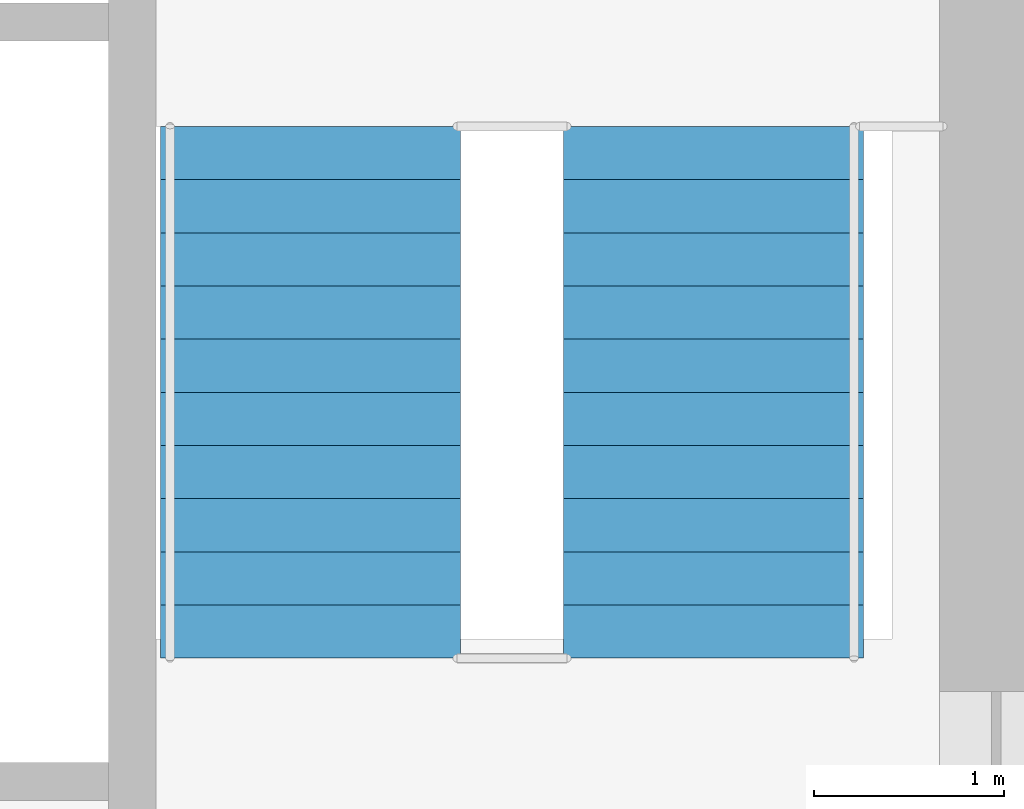
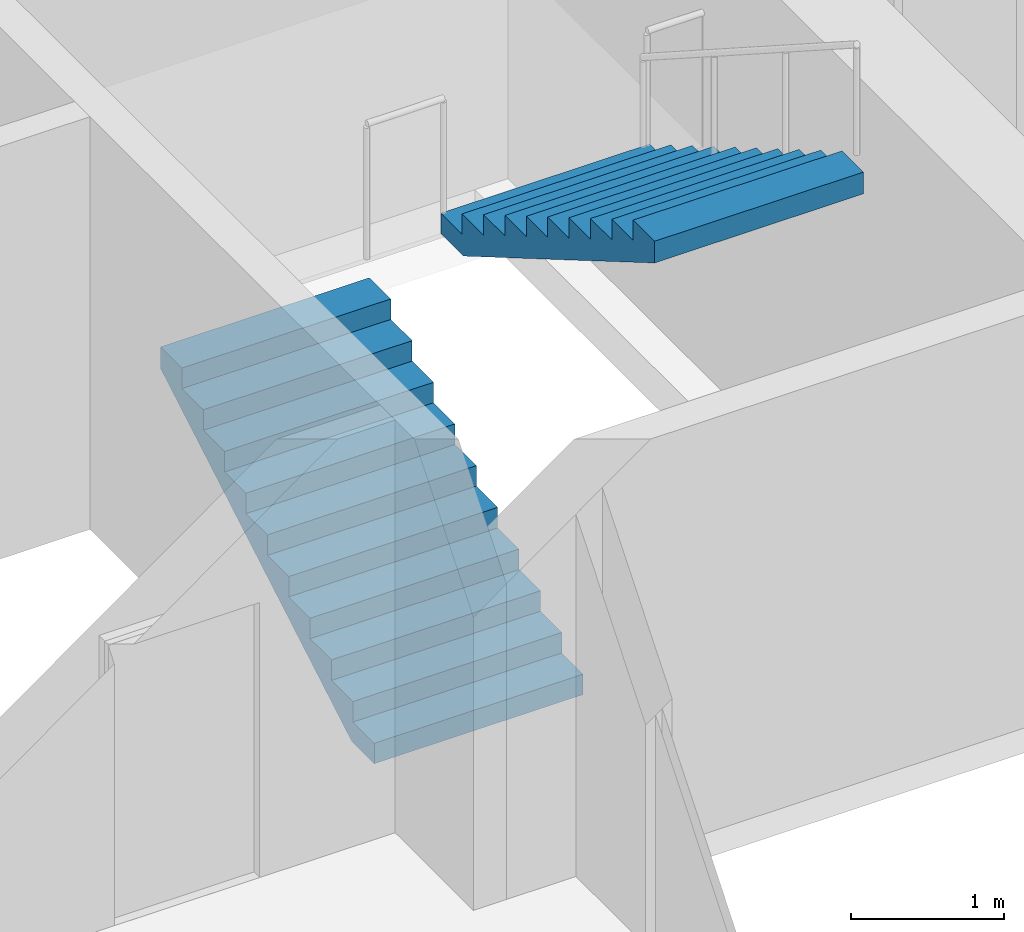
# One storey, part 15 of 18: 2 stair flights, 1 element without a shape of its own.
"""IFC4 building model written with IfcOpenShell, lengths in metres."""

from ifc_helpers import new_model, si_unit, direction, frame, origin, place, context, subcontext, project, spatial, polyline, outline, extrude, material, type_object, element, aggregate, save


model = new_model("IFC4")

# Units and contexts
model_context = context("Model", 3, precision=1e-05, world=origin(), true_north=direction((0.0, 1.0)))
body_context = subcontext(model_context, "Body", "Model", "MODEL_VIEW")
ifc_project = project(units=[si_unit("LENGTHUNIT", "METRE"), si_unit("AREAUNIT", "SQUARE_METRE"), si_unit("VOLUMEUNIT", "CUBIC_METRE"), si_unit("PLANEANGLEUNIT", "RADIAN"), si_unit("MASSUNIT", "GRAM", prefix="KILO")], contexts=[model_context])

# Site, building, storey
site_placement = place(None, origin())
site = spatial("IfcSite", under=ifc_project, at=site_placement, CompositionType="ELEMENT")
building_placement = place(site_placement, origin())
building = spatial("IfcBuilding", under=site, at=building_placement, Name="Pilkhan Gate Tower", CompositionType="ELEMENT")
storey_placement = place(building_placement, frame((0.0, 0.0, 228.300048828125)))
storey = spatial("IfcBuildingStorey", under=building, at=storey_placement, Name="L59", CompositionType="ELEMENT", Elevation=228.300048828125)

# Stair, stair flights
ifc_material = material(Name="Concrete C40/50 precast", Category="concrete")
stair_type = type_object("IfcStairType", Name="Stair ST4 164x280", PredefinedType="HALF_TURN_STAIR", material=ifc_material)
stair_placement = place(storey_placement, origin())
stair = element("IfcStair", 1, at=stair_placement, inside=storey, type_object=stair_type, Name="Stair ST4 L59", PredefinedType="HALF_TURN_STAIR")
stair_flight_type = type_object("IfcStairFlightType", Name="Stair flight ST4 164x280x11", PredefinedType="STRAIGHT", material=ifc_material)
stair_flight_1_placement = place(storey_placement, frame((85.68994140625, 87.39990234375, 0.0), z_axis=(0.0, 0.0, 1.0), x_axis=(0.0, 1.0, 0.0)))
stair_flight_1 = element("IfcStairFlight", 2, at=stair_flight_1_placement, type_object=stair_flight_type, Name="ST4 flight 1", NumberOfRisers=11, NumberOfTreads=10, PredefinedType="STRAIGHT", RiserHeight=0.163636364, TreadLength=0.28, context=body_context, shape_type="SweptSolid", body=[
    extrude(outline(polyline([(0.0, 0.0), (0.0, 0.16357421875), (0.280029296875, 0.16357421875), (0.280029296875, 0.327392578125), (0.56005859375, 0.327392578125), (0.56005859375, 0.490966796875), (0.840087890625, 0.490966796875), (0.840087890625, 0.654541015625), (1.1201171875, 0.654541015625), (1.1201171875, 0.818115234375), (1.39990234375, 0.818115234375), (1.39990234375, 0.98193359375), (1.679931640625, 0.98193359375), (1.679931640625, 1.1455078125), (1.9599609375, 1.1455078125), (1.9599609375, 1.30908203125), (2.239990234375, 1.30908203125), (2.239990234375, 1.47265625), (2.52001953125, 1.47265625), (2.52001953125, 1.636474609375), (2.800048828125, 1.636474609375), (2.800048828125, 1.800048828125), (2.800048828125, 1.462646484375), (0.297119140625, 0.0), (0.0, 0.0)])), frame((0.0, 0.7900390625, 0.0), z_axis=(0.0, -1.0, 0.0), x_axis=(1.0, 0.0, 0.0)), (0.0, 0.0, 1.0), 1.580078125),
])
stair_flight_2_placement = place(storey_placement, frame((87.81005859375, 90.199951171875, 1.800048828125), z_axis=(0.0, 0.0, 1.0), x_axis=(0.0, -1.0, 0.0)))
stair_flight_2 = element("IfcStairFlight", 3, at=stair_flight_2_placement, type_object=stair_flight_type, Name="ST4 flight 2", NumberOfRisers=11, NumberOfTreads=10, PredefinedType="STRAIGHT", RiserHeight=0.163636364, TreadLength=0.28, context=body_context, shape_type="SweptSolid", body=[
    extrude(outline(polyline([(0.0, 0.0), (0.0, 0.16357421875), (0.280029296875, 0.16357421875), (0.280029296875, 0.327392578125), (0.56005859375, 0.327392578125), (0.56005859375, 0.490966796875), (0.840087890625, 0.490966796875), (0.840087890625, 0.654541015625), (1.1201171875, 0.654541015625), (1.1201171875, 0.818115234375), (1.39990234375, 0.818115234375), (1.39990234375, 0.98193359375), (1.679931640625, 0.98193359375), (1.679931640625, 1.1455078125), (1.9599609375, 1.1455078125), (1.9599609375, 1.30908203125), (2.239990234375, 1.30908203125), (2.239990234375, 1.47265625), (2.52001953125, 1.47265625), (2.52001953125, 1.636474609375), (2.800048828125, 1.636474609375), (2.800048828125, 1.800048828125), (2.800048828125, 1.462646484375), (0.297119140625, 0.0), (0.0, 0.0)])), frame((0.0, 0.7900390625, 0.0), z_axis=(0.0, -1.0, 0.0), x_axis=(1.0, 0.0, 0.0)), (0.0, 0.0, 1.0), 1.580078125),
])
aggregate(stair, [stair_flight_1, stair_flight_2])

save(model, "model.ifc")
